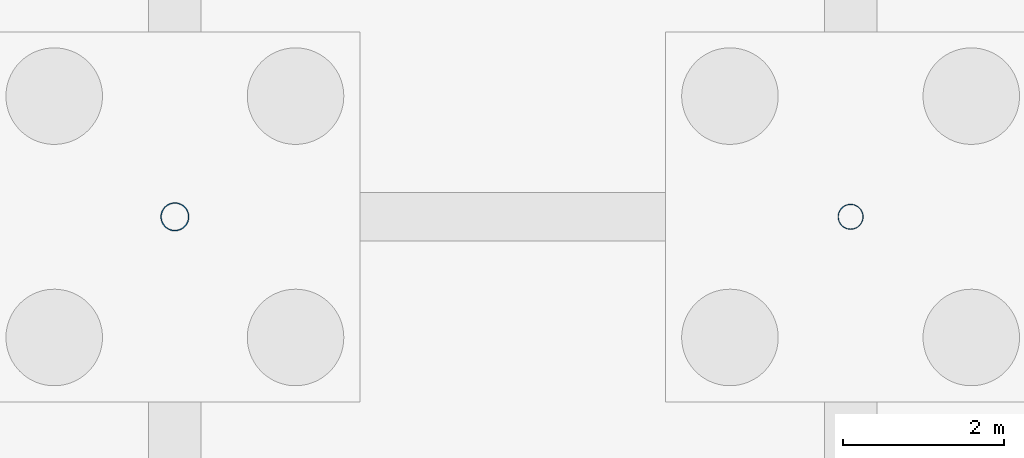
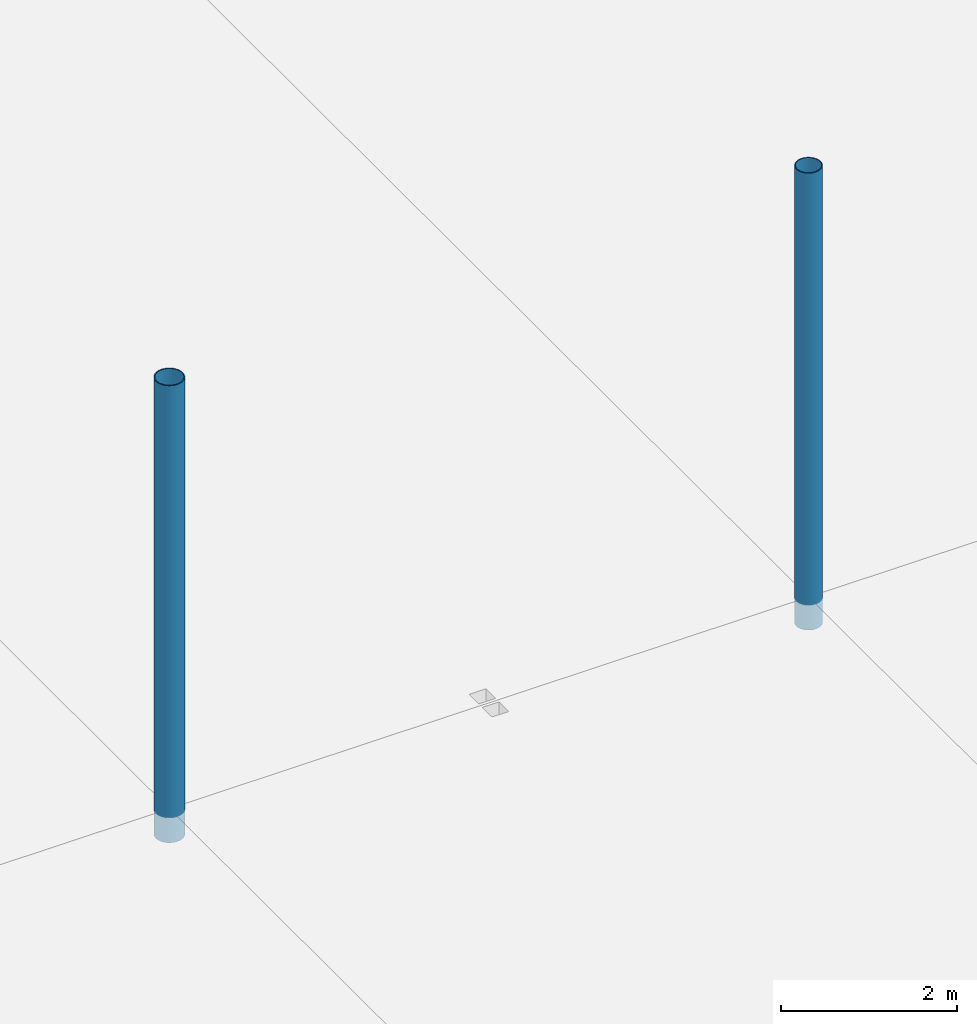
# One storey, part 30 of 139: 2 columns.
"""IFC4 building model written with IfcOpenShell, lengths in metres."""

from ifc_helpers import new_model, si_unit, direction, frame, origin, origin_2d, place, context, subcontext, project, spatial, hollow_circle, extrude, material, material_profile, profile_set, type_object, element, save


model = new_model("IFC4")

# Units and contexts
model_context = context("Model", 3, precision=1e-05, world=origin(), true_north=direction((0.0, 1.0)))
body_context = subcontext(model_context, "Body", "Model", "MODEL_VIEW")
ifc_project = project(units=[si_unit("LENGTHUNIT", "METRE"), si_unit("AREAUNIT", "SQUARE_METRE"), si_unit("VOLUMEUNIT", "CUBIC_METRE"), si_unit("PLANEANGLEUNIT", "RADIAN"), si_unit("MASSUNIT", "GRAM", prefix="KILO")], contexts=[model_context])

# Site, building, storey
site_placement = place(None, origin())
site = spatial("IfcSite", under=ifc_project, at=site_placement, CompositionType="ELEMENT")
building_placement = place(site_placement, origin())
building = spatial("IfcBuilding", under=site, at=building_placement, Name="Kazenagashi Tramway Depot", CompositionType="ELEMENT")
storey_placement = place(building_placement, origin())
storey = spatial("IfcBuildingStorey", under=building, at=storey_placement, Name="L01", CompositionType="ELEMENT", Elevation=0.0)

# Columns
ifc_material = material(Name="Steel STK490", Category="steel")
ifc_material_profile_1 = material_profile(ifc_material, hollow_circle(Radius=0.1778, WallThickness=0.0127, at=origin_2d()), Name="CHS-355.6x12.7")
ifc_profile_set_1 = profile_set([ifc_material_profile_1], Name="Steel STK490")
column_type_1 = type_object("IfcColumnType", Name="C-13", PredefinedType="COLUMN", material=ifc_profile_set_1)
column_1_placement = place(storey_placement, frame((112.0, 100.0, -0.35), z_axis=(0.0, 0.0, 1.0), x_axis=(1.0, 0.0, 0.0)))
element("IfcColumn", 1, at=column_1_placement, inside=storey, type_object=column_type_1, Name="Column C-13 COL-0051", PredefinedType="COLUMN", context=body_context, shape_type="SweptSolid", body=[
    extrude(hollow_circle(Radius=0.1778, WallThickness=0.0127, at=origin_2d()), origin(), (0.0, 0.0, 1.0), 6.35),
])
ifc_material_profile_2 = material_profile(ifc_material, hollow_circle(Radius=0.15925, WallThickness=0.0103, at=origin_2d()), Name="CHS-318.5x10.3")
ifc_profile_set_2 = profile_set([ifc_material_profile_2], Name="Steel STK490")
column_type_2 = type_object("IfcColumnType", Name="C-18", PredefinedType="COLUMN", material=ifc_profile_set_2)
column_2_placement = place(storey_placement, frame((120.4, 100.0, -0.35), z_axis=(0.0, 0.0, 1.0), x_axis=(1.0, 0.0, 0.0)))
element("IfcColumn", 2, at=column_2_placement, inside=storey, type_object=column_type_2, Name="Column C-18 COL-0057", PredefinedType="COLUMN", context=body_context, shape_type="SweptSolid", body=[
    extrude(hollow_circle(Radius=0.15925, WallThickness=0.0103, at=origin_2d()), origin(), (0.0, 0.0, 1.0), 6.35),
])

save(model, "model.ifc")
